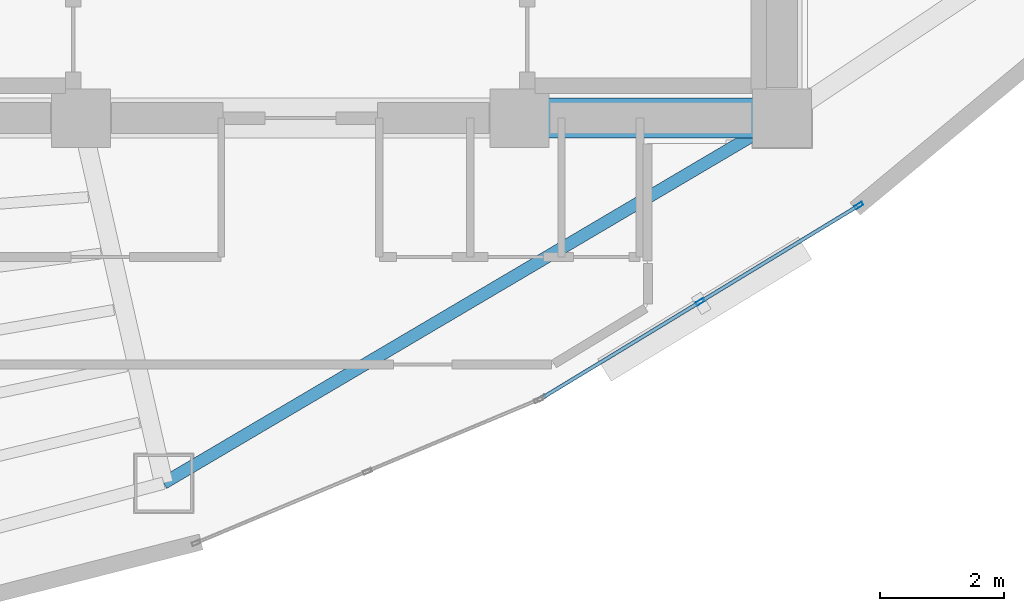
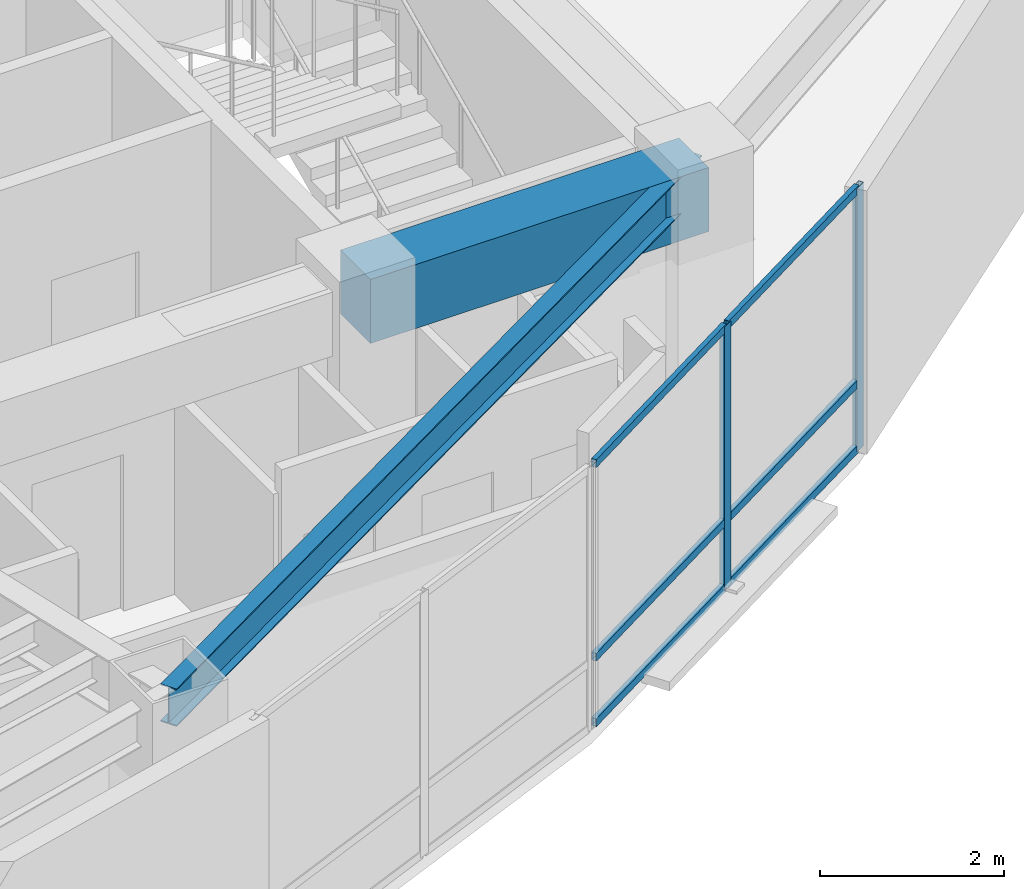
# One storey, part 5 of 16: 8 members, 2 beams, 1 element without a shape of its own.
"""IFC4 building model written with IfcOpenShell, lengths in metres."""

from ifc_helpers import new_model, si_unit, direction, frame, origin, origin_2d, place, context, subcontext, project, spatial, rectangle, hollow_rectangle, i_section, extrude, material, layer, layer_set, material_profile, profile_set, type_object, element, aggregate, save


model = new_model("IFC4")

# Units and contexts
model_context = context("Model", 3, precision=1e-05, world=origin(), true_north=direction((0.0, 1.0)))
body_context = subcontext(model_context, "Body", "Model", "MODEL_VIEW")
ifc_project = project(units=[si_unit("LENGTHUNIT", "METRE"), si_unit("AREAUNIT", "SQUARE_METRE"), si_unit("VOLUMEUNIT", "CUBIC_METRE"), si_unit("PLANEANGLEUNIT", "RADIAN"), si_unit("MASSUNIT", "GRAM", prefix="KILO")], contexts=[model_context])

# Site, building, storey
site_placement = place(None, origin())
site = spatial("IfcSite", under=ifc_project, at=site_placement, CompositionType="ELEMENT")
building_placement = place(site_placement, origin())
building = spatial("IfcBuilding", under=site, at=building_placement, Name="Menara Vayukalpa", CompositionType="ELEMENT")
storey_placement = place(building_placement, frame((0.0, 0.0, 219.5400390625)))
storey = spatial("IfcBuildingStorey", under=building, at=storey_placement, Name="L55", CompositionType="ELEMENT", Elevation=219.5400390625)

# Beams
ifc_material_1 = material(Name="Concrete C60/75", Category="concrete")
ifc_material_profile_1 = material_profile(ifc_material_1, rectangle(XDim=0.64990234375, YDim=0.85009765625, at=origin_2d()), Name="RC 650x850")
ifc_profile_set_1 = profile_set([ifc_material_profile_1], Name="Concrete C60/75")
beam_type_1 = type_object("IfcBeamType", Name="BM-CB1", PredefinedType="BEAM", material=ifc_profile_set_1)
beam_1_placement = place(storey_placement, frame((29.14990234375, 17.199951171875, 3.074951171875), z_axis=(1.0, 0.0, 0.0), x_axis=(0.0, 1.0, 0.0)))
element("IfcBeam", 1, at=beam_1_placement, inside=storey, type_object=beam_type_1, Name="L55 Core Tie Beam CBR3", PredefinedType="BEAM", context=body_context, shape_type="SweptSolid", body=[
    extrude(rectangle(XDim=0.64990234375, YDim=0.85009765625, at=origin_2d()), origin(), (0.0, 0.0, 1.0), 4.25),
])
ifc_material_2 = material(Name="Steel S355", Category="steel")
ifc_material_profile_2 = material_profile(ifc_material_2, i_section(OverallWidth=0.199951171875, OverallDepth=0.5, WebThickness=0.010009765625, FlangeThickness=0.01611328125, at=origin_2d()), Name="WF 500x200x10x16")
ifc_profile_set_2 = profile_set([ifc_material_profile_2], Name="Steel S355")
beam_type_2 = type_object("IfcBeamType", Name="BM-SP3", PredefinedType="SPANDREL", material=ifc_profile_set_2)
beam_2_placement = place(storey_placement, frame((23.389404296875, 11.29150390625, 3.25), z_axis=(0.861184403346, 0.508292655302, 0.0), x_axis=(-0.508292655302, 0.861184403346, 0.0)))
element("IfcBeam", 2, at=beam_2_placement, inside=storey, type_object=beam_type_2, Name="L55 Perimeter Spandrel Beam SP08", PredefinedType="SPANDREL", context=body_context, shape_type="SweptSolid", body=[
    extrude(i_section(OverallWidth=0.199951171875, OverallDepth=0.5, WebThickness=0.010009765625, FlangeThickness=0.01611328125, at=origin_2d()), origin(), (0.0, 0.0, 1.0), 11.6240234375),
])

# Curtain wall, members
ifc_material_3 = material(Name="Anodised Terracotta Aluminium Alloy 6063-T6", Category="masonry")
ifc_layer = layer(ifc_material_3, 0.139892578125)
ifc_layer_set = layer_set([ifc_layer], Name="Anodised Terracotta Aluminium Alloy 6063-T6")
curtain_wall_type = type_object("IfcCurtainWallType", Name="CW-CW5", PredefinedType="USERDEFINED", material=ifc_layer_set)
curtain_wall_placement = place(storey_placement, origin())
curtain_wall = element("IfcCurtainWall", 3, at=curtain_wall_placement, inside=storey, type_object=curtain_wall_type, Name="L55 High Rise Tapered Curtain Wall CW5 17", ObjectType="UNITISED", PredefinedType="USERDEFINED")
ifc_material_4 = material(Name="Anodised Terracotta Aluminium Alloy 6063-T6", Category="masonry")
ifc_material_profile_3 = material_profile(ifc_material_4, hollow_rectangle(XDim=0.06005859375, YDim=0.139892578125, WallThickness=0.00341796875, at=origin_2d()), Name="ALU 60x140x3.5")
ifc_profile_set_3 = profile_set([ifc_material_profile_3], Name="Anodised Terracotta Aluminium Alloy 6063-T6")
member_type_1 = type_object("IfcMemberType", Name="CWM-CW5", PredefinedType="MULLION", material=ifc_profile_set_3)
member_1_placement = place(storey_placement, frame((32.075439453125, 14.226318359375, 0.0), z_axis=(0.0, 0.0, 1.0), x_axis=(-0.519179911779, 0.854664974832, 0.0)))
member_1 = element("IfcMember", 4, at=member_1_placement, type_object=member_type_1, Name="CW5 mullion 2", PredefinedType="MULLION", context=body_context, shape_type="SweptSolid", body=[
    extrude(hollow_rectangle(XDim=0.06005859375, YDim=0.139892578125, WallThickness=0.00341796875, at=origin_2d()), origin(), (0.0, 0.0, 1.0), 3.5),
])
member_2_placement = place(storey_placement, frame((34.6416015625, 15.78515625, 0.0), z_axis=(0.0, 0.0, 1.0), x_axis=(-0.519179911779, 0.854664974832, 0.0)))
member_2 = element("IfcMember", 5, at=member_2_placement, type_object=member_type_1, Name="CW5 mullion 3", PredefinedType="MULLION", context=body_context, shape_type="SweptSolid", body=[
    extrude(hollow_rectangle(XDim=0.06005859375, YDim=0.139892578125, WallThickness=0.00341796875, at=origin_2d()), origin(), (0.0, 0.0, 1.0), 3.5),
])
ifc_material_5 = material(Name="Anodised Terracotta Aluminium Alloy 6063-T6", Category="masonry")
ifc_material_profile_4 = material_profile(ifc_material_5, hollow_rectangle(XDim=0.06005859375, YDim=0.10498046875, WallThickness=0.0029296875, at=origin_2d()), Name="ALU 60x105x3")
ifc_profile_set_4 = profile_set([ifc_material_profile_4], Name="Anodised Terracotta Aluminium Alloy 6063-T6")
member_type_2 = type_object("IfcMemberType", Name="CWT-CW5", PredefinedType="USERDEFINED", material=ifc_profile_set_4)
member_3_placement = place(storey_placement, frame((29.53515625, 12.68310546875, 0.030029296875), z_axis=(0.85466128475, 0.51918598628, 0.0), x_axis=(-0.51918598628, 0.85466128475, 0.0)))
member_3 = element("IfcMember", 6, at=member_3_placement, type_object=member_type_2, Name="CW5 transom 1.1", ObjectType="TRANSOM", PredefinedType="USERDEFINED", context=body_context, shape_type="SweptSolid", body=[
    extrude(hollow_rectangle(XDim=0.06005859375, YDim=0.10498046875, WallThickness=0.0029296875, at=origin_2d()), origin(), (0.0, 0.0, 1.0), 2.9423828125),
])
member_4_placement = place(storey_placement, frame((29.53515625, 12.68310546875, 0.89990234375), z_axis=(0.85466128475, 0.51918598628, 0.0), x_axis=(-0.51918598628, 0.85466128475, 0.0)))
member_4 = element("IfcMember", 7, at=member_4_placement, type_object=member_type_2, Name="CW5 transom 1.2", ObjectType="TRANSOM", PredefinedType="USERDEFINED", context=body_context, shape_type="SweptSolid", body=[
    extrude(hollow_rectangle(XDim=0.06005859375, YDim=0.10498046875, WallThickness=0.0029296875, at=origin_2d()), origin(), (0.0, 0.0, 1.0), 2.9423828125),
])
member_5_placement = place(storey_placement, frame((29.53515625, 12.68310546875, 3.469970703125), z_axis=(0.85466128475, 0.51918598628, 0.0), x_axis=(-0.51918598628, 0.85466128475, 0.0)))
member_5 = element("IfcMember", 8, at=member_5_placement, type_object=member_type_2, Name="CW5 transom 1.3", ObjectType="TRANSOM", PredefinedType="USERDEFINED", context=body_context, shape_type="SweptSolid", body=[
    extrude(hollow_rectangle(XDim=0.06005859375, YDim=0.10498046875, WallThickness=0.0029296875, at=origin_2d()), origin(), (0.0, 0.0, 1.0), 2.9423828125),
])
member_6_placement = place(storey_placement, frame((32.10107421875, 14.241943359375, 0.030029296875), z_axis=(0.854683649113, 0.519149169255, 0.0), x_axis=(-0.519149169255, 0.854683649113, 0.0)))
member_6 = element("IfcMember", 9, at=member_6_placement, type_object=member_type_2, Name="CW5 transom 2.1", ObjectType="TRANSOM", PredefinedType="USERDEFINED", context=body_context, shape_type="SweptSolid", body=[
    extrude(hollow_rectangle(XDim=0.06005859375, YDim=0.10498046875, WallThickness=0.0029296875, at=origin_2d()), origin(), (0.0, 0.0, 1.0), 2.9423828125),
])
member_7_placement = place(storey_placement, frame((32.10107421875, 14.241943359375, 0.89990234375), z_axis=(0.854683649113, 0.519149169255, 0.0), x_axis=(-0.519149169255, 0.854683649113, 0.0)))
member_7 = element("IfcMember", 10, at=member_7_placement, type_object=member_type_2, Name="CW5 transom 2.2", ObjectType="TRANSOM", PredefinedType="USERDEFINED", context=body_context, shape_type="SweptSolid", body=[
    extrude(hollow_rectangle(XDim=0.06005859375, YDim=0.10498046875, WallThickness=0.0029296875, at=origin_2d()), origin(), (0.0, 0.0, 1.0), 2.9423828125),
])
member_8_placement = place(storey_placement, frame((32.10107421875, 14.241943359375, 3.469970703125), z_axis=(0.854683649113, 0.519149169255, 0.0), x_axis=(-0.519149169255, 0.854683649113, 0.0)))
member_8 = element("IfcMember", 11, at=member_8_placement, type_object=member_type_2, Name="CW5 transom 2.3", ObjectType="TRANSOM", PredefinedType="USERDEFINED", context=body_context, shape_type="SweptSolid", body=[
    extrude(hollow_rectangle(XDim=0.06005859375, YDim=0.10498046875, WallThickness=0.0029296875, at=origin_2d()), origin(), (0.0, 0.0, 1.0), 2.9423828125),
])
aggregate(curtain_wall, [member_1, member_2, member_3, member_4, member_5, member_6, member_7, member_8])

save(model, "model.ifc")
